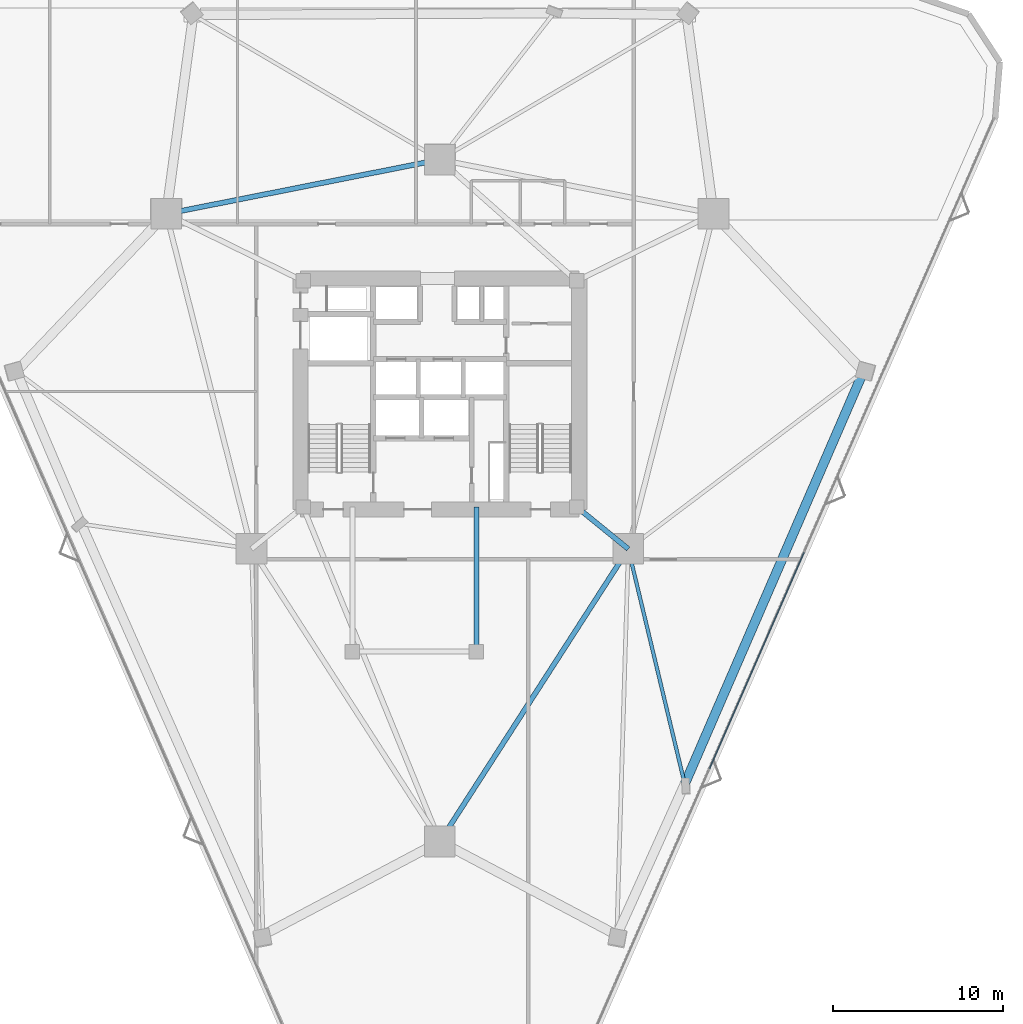
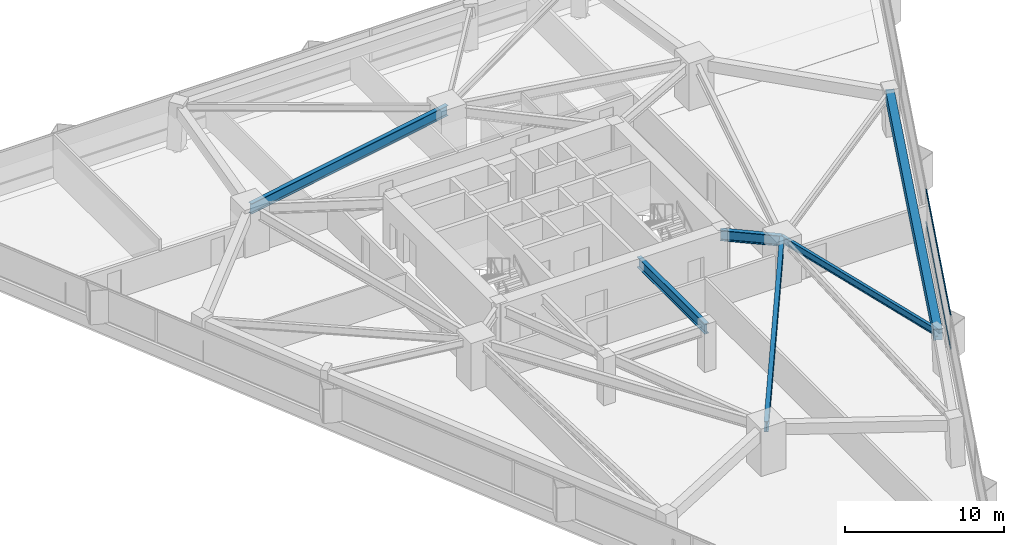
# One storey, part 9 of 21: 6 beams, 2 members, 1 element without a shape of its own.
"""IFC4 building model written with IfcOpenShell, lengths in metres."""

from ifc_helpers import new_model, si_unit, direction, frame, origin, origin_2d, place, context, subcontext, project, spatial, rectangle, i_section, extrude, material, layer, layer_set, material_profile, profile_set, type_object, element, aggregate, save


model = new_model("IFC4")

# Units and contexts
model_context = context("Model", 3, precision=1e-05, world=origin(), true_north=direction((0.0, 1.0)))
body_context = subcontext(model_context, "Body", "Model", "MODEL_VIEW")
ifc_project = project(units=[si_unit("LENGTHUNIT", "METRE"), si_unit("AREAUNIT", "SQUARE_METRE"), si_unit("VOLUMEUNIT", "CUBIC_METRE"), si_unit("PLANEANGLEUNIT", "RADIAN"), si_unit("MASSUNIT", "GRAM", prefix="KILO")], contexts=[model_context])

# Site, building, storey
site_placement = place(None, origin())
site = spatial("IfcSite", under=ifc_project, at=site_placement, CompositionType="ELEMENT")
building_placement = place(site_placement, origin())
building = spatial("IfcBuilding", under=site, at=building_placement, Name="Talyreon Biosciences Tower", CompositionType="ELEMENT")
storey_placement = place(building_placement, frame((0.0, 0.0, 55.64990234375)))
storey = spatial("IfcBuildingStorey", under=building, at=storey_placement, Name="L14", CompositionType="ELEMENT", Elevation=55.64990234375)

# Curtain wall, members
ifc_material_1 = material(Name="Thermally broken aluminium and low-E glazing", Category="aluminium")
ifc_layer = layer(ifc_material_1, 0.195068359375)
ifc_layer_set = layer_set([ifc_layer], Name="Thermally broken aluminium and low-E glazing")
curtain_wall_type = type_object("IfcCurtainWallType", Name="CurtainWall_Zone1WetLab", PredefinedType="NOTDEFINED", material=ifc_layer_set)
curtain_wall_placement = place(storey_placement, origin())
curtain_wall = element("IfcCurtainWall", 1, at=curtain_wall_placement, inside=storey, type_object=curtain_wall_type, Name="L14 Unitised Curtain Wall FCW-L14-08", PredefinedType="NOTDEFINED")
ifc_material_2 = material(Name="Anodised thermally broken aluminium", Category="aluminium")
ifc_material_profile_1 = material_profile(ifc_material_2, rectangle(XDim=0.06494140625, YDim=0.139892578125, at=origin_2d()), Name="ALUM TRANSOM 65x140")
ifc_profile_set_1 = profile_set([ifc_material_profile_1], Name="Anodised thermally broken aluminium")
member_type = type_object("IfcMemberType", Name="CWTransom_65x140", PredefinedType="USERDEFINED", material=ifc_profile_set_1)
member_1_placement = place(storey_placement, frame((87.426513671875, 58.65966796875, 0.842529296875), z_axis=(-0.400962068949, -0.916094656279, 0.0), x_axis=(0.916094656279, -0.400962068949, 0.0)))
member_1 = element("IfcMember", 2, at=member_1_placement, type_object=member_type, Name="CW2 transom 3.1", ObjectType="TRANSOM", PredefinedType="USERDEFINED", context=body_context, shape_type="SweptSolid", body=[
    extrude(rectangle(XDim=0.06494140625, YDim=0.139892578125, at=origin_2d()), origin(), (0.0, 0.0, 1.0), 13.85888671875),
])
member_2_placement = place(storey_placement, frame((87.426513671875, 58.65966796875, 3.342529296875), z_axis=(-0.400962068949, -0.916094656279, 0.0), x_axis=(0.916094656279, -0.400962068949, 0.0)))
member_2 = element("IfcMember", 3, at=member_2_placement, type_object=member_type, Name="CW2 transom 3.2", ObjectType="TRANSOM", PredefinedType="USERDEFINED", context=body_context, shape_type="SweptSolid", body=[
    extrude(rectangle(XDim=0.06494140625, YDim=0.139892578125, at=origin_2d()), origin(), (0.0, 0.0, 1.0), 13.85888671875),
])
aggregate(curtain_wall, [member_1, member_2])

# Beams
ifc_material_3 = material(Name="Precast concrete C45/55", Category="concrete")
ifc_material_profile_2 = material_profile(ifc_material_3, rectangle(XDim=0.550048828125, YDim=0.85009765625, at=origin_2d()), Name="RCB 550x850")
ifc_profile_set_2 = profile_set([ifc_material_profile_2], Name="Precast concrete C45/55")
beam_type_1 = type_object("IfcBeamType", Name="ExpressedSpandrel_550x850", PredefinedType="SPANDREL", material=ifc_profile_set_2)
beam_1_placement = place(storey_placement, frame((80.40966796875, 45.047119140625, 2.9501953125), z_axis=(0.397494780011, 0.917604435399, 0.0), x_axis=(-0.917604435399, 0.397494780011, 0.0)))
element("IfcBeam", 4, at=beam_1_placement, inside=storey, type_object=beam_type_1, Name="L14 Expressed Horizontal Concrete Spandrel 03", PredefinedType="SPANDREL", context=body_context, shape_type="SweptSolid", body=[
    extrude(rectangle(XDim=0.550048828125, YDim=0.85009765625, at=origin_2d()), origin(), (0.0, 0.0, 1.0), 26.4560546875),
])
ifc_material_4 = material(Name="Steel SM355", Category="steel")
ifc_material_profile_3 = material_profile(ifc_material_4, i_section(OverallWidth=0.300048828125, OverallDepth=0.800048828125, WebThickness=0.017578125, FlangeThickness=0.032958984375, FilletRadius=0.030029296875, at=origin_2d()), Name="HE800B")
ifc_profile_set_3 = profile_set([ifc_material_profile_3], Name="Steel SM355")
beam_type_2 = type_object("IfcBeamType", Name="SteelGirder_HE800B", PredefinedType="BEAM", material=ifc_profile_set_3)
beam_2_placement = place(storey_placement, frame((66.0, 41.6669921875, 2.97509765625), z_axis=(0.541463723609, 0.840724114092, 0.0), x_axis=(-0.840724114092, 0.541463723609, 0.0)))
element("IfcBeam", 5, at=beam_2_placement, inside=storey, type_object=beam_type_2, Name="L14 Mega-Ring Girder 1", PredefinedType="BEAM", context=body_context, shape_type="SweptSolid", body=[
    extrude(i_section(OverallWidth=0.300048828125, OverallDepth=0.800048828125, WebThickness=0.017578125, FlangeThickness=0.032958984375, FilletRadius=0.030029296875, at=origin_2d()), origin(), (0.0, 0.0, 1.0), 20.474365234375),
])
beam_3_placement = place(storey_placement, frame((66.0, 81.788818359375, 2.97509765625), z_axis=(-0.980933730698, -0.194342522311, 0.0), x_axis=(0.194342522311, -0.980933730698, 0.0)))
element("IfcBeam", 6, at=beam_3_placement, inside=storey, type_object=beam_type_2, Name="L14 Mega-Ring Girder 4", PredefinedType="BEAM", context=body_context, shape_type="SweptSolid", body=[
    extrude(i_section(OverallWidth=0.300048828125, OverallDepth=0.800048828125, WebThickness=0.017578125, FlangeThickness=0.032958984375, FilletRadius=0.030029296875, at=origin_2d()), origin(), (0.0, 0.0, 1.0), 16.415283203125),
])
beam_4_placement = place(storey_placement, frame((74.050048828125, 61.35009765625, 2.97509765625), z_axis=(0.775755154013, -0.631034025249, 0.0), x_axis=(0.631034025249, 0.775755154013, 0.0)))
element("IfcBeam", 7, at=beam_4_placement, inside=storey, type_object=beam_type_2, Name="L14 Radial Primary Girder 2", PredefinedType="BEAM", context=body_context, shape_type="SweptSolid", body=[
    extrude(i_section(OverallWidth=0.300048828125, OverallDepth=0.800048828125, WebThickness=0.017578125, FlangeThickness=0.032958984375, FilletRadius=0.030029296875, at=origin_2d()), origin(), (0.0, 0.0, 1.0), 3.913818359375),
])
beam_5_placement = place(storey_placement, frame((68.14990234375, 52.840087890625, 2.97509765625), z_axis=(0.0, 1.0, 0.0), x_axis=(-1.0, 0.0, 0.0)))
element("IfcBeam", 8, at=beam_5_placement, inside=storey, type_object=beam_type_2, Name="L14 Crown Shaft Tie Girder E", PredefinedType="BEAM", context=body_context, shape_type="SweptSolid", body=[
    extrude(i_section(OverallWidth=0.300048828125, OverallDepth=0.800048828125, WebThickness=0.017578125, FlangeThickness=0.032958984375, FilletRadius=0.030029296875, at=origin_2d()), origin(), (0.0, 0.0, 1.0), 8.510009765625),
])
ifc_material_profile_4 = material_profile(ifc_material_4, i_section(OverallWidth=0.2099609375, OverallDepth=0.550048828125, WebThickness=0.010986328125, FlangeThickness=0.01708984375, FilletRadius=0.02392578125, at=origin_2d()), Name="IPE550")
ifc_profile_set_4 = profile_set([ifc_material_profile_4], Name="Steel SM355")
beam_type_3 = type_object("IfcBeamType", Name="SteelJoist_IPE550", PredefinedType="JOIST", material=ifc_profile_set_4)
beam_6_placement = place(storey_placement, frame((77.086181640625, 58.88037109375, 3.10009765625), z_axis=(0.233605949602, -0.972331353146, 0.0), x_axis=(0.972331353146, 0.233605949602, 0.0)))
element("IfcBeam", 9, at=beam_6_placement, inside=storey, type_object=beam_type_3, Name="L14 Radial Composite Floor Joist PL-SE", PredefinedType="JOIST", context=body_context, shape_type="SweptSolid", body=[
    extrude(i_section(OverallWidth=0.2099609375, OverallDepth=0.550048828125, WebThickness=0.010986328125, FlangeThickness=0.01708984375, FilletRadius=0.02392578125, at=origin_2d()), origin(), (0.0, 0.0, 1.0), 14.226806640625),
])

save(model, "model.ifc")
